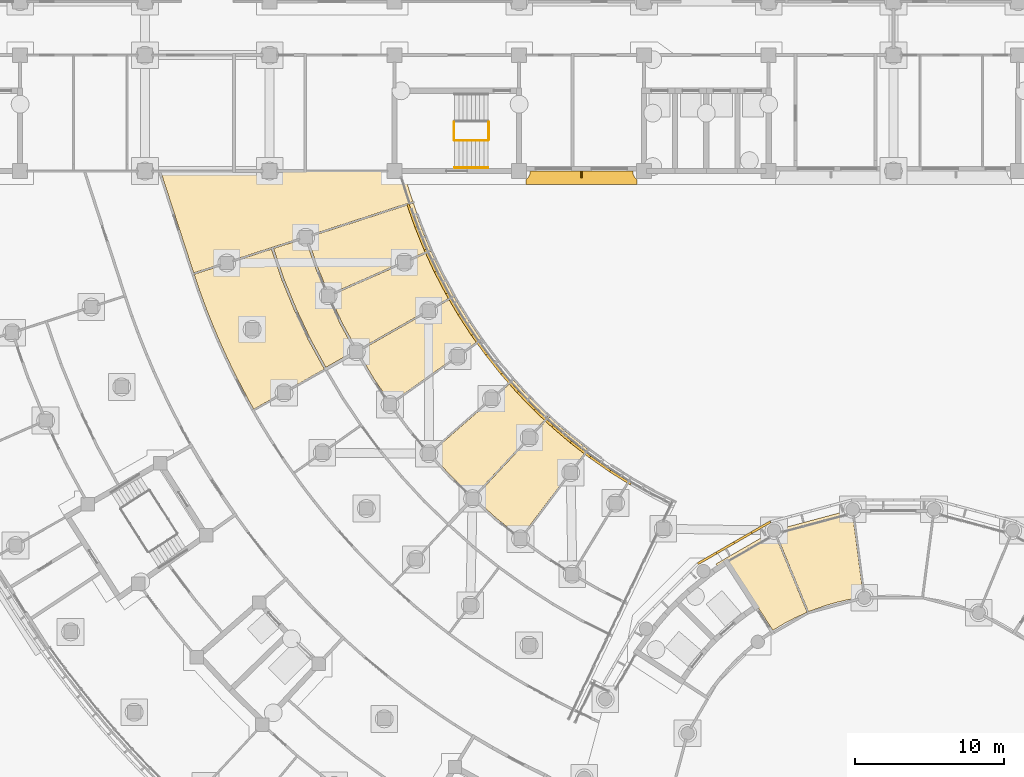
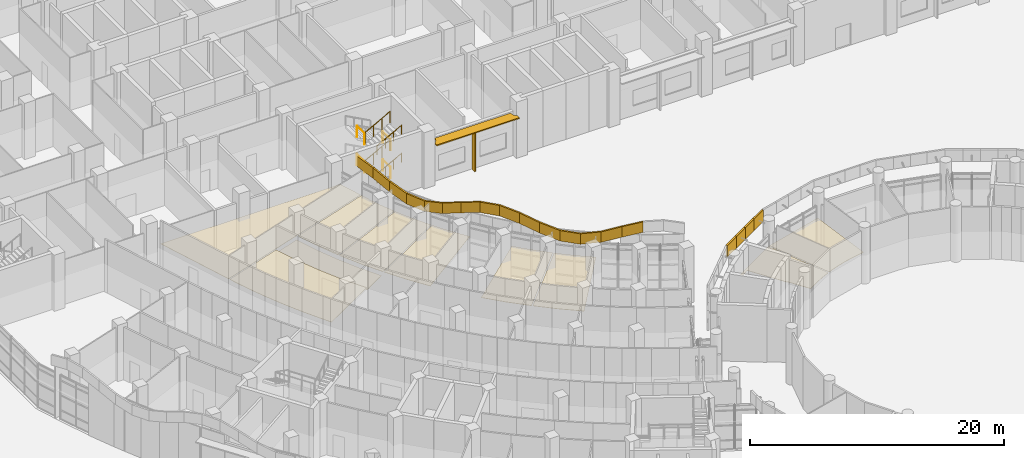
# One storey, part 127 of 146: 29 coverings, 8 railings, 2 shading devices.
"""IFC4 building model written with IfcOpenShell, lengths in metres."""

from ifc_helpers import new_model, si_unit, direction, frame, origin, origin_2d, place, context, subcontext, project, spatial, polyline, rectangle, circle, outline, extrude, material, layer, layer_set, material_profile, profile_set, type_object, element, save


model = new_model("IFC4")

# Units and contexts
model_context = context("Model", 3, precision=1e-05, world=origin(), true_north=direction((0.0, 1.0)))
body_context = subcontext(model_context, "Body", "Model", "MODEL_VIEW")
ifc_project = project(units=[si_unit("LENGTHUNIT", "METRE"), si_unit("AREAUNIT", "SQUARE_METRE"), si_unit("VOLUMEUNIT", "CUBIC_METRE"), si_unit("PLANEANGLEUNIT", "RADIAN"), si_unit("MASSUNIT", "GRAM", prefix="KILO")], contexts=[model_context])

# Site, building, storey
site_placement = place(None, origin())
site = spatial("IfcSite", under=ifc_project, at=site_placement, CompositionType="ELEMENT")
building_placement = place(site_placement, origin())
building = spatial("IfcBuilding", under=site, at=building_placement, Name="Bougainvillea Quay General Hospital", CompositionType="ELEMENT")
storey_placement = place(building_placement, origin())
storey = spatial("IfcBuildingStorey", under=building, at=storey_placement, Name="L00", CompositionType="ELEMENT", Elevation=0.0)

# Coverings
ifc_material_1 = material(Name="Powder-coated aluminium fascia, white", Category="aluminium")
ifc_layer_1 = layer(ifc_material_1, 0.14990234375)
ifc_layer_set_1 = layer_set([ifc_layer_1], Name="Powder-coated aluminium fascia, white")
covering_type_1 = type_object("IfcCoveringType", Name="Aluminium fascia band white 150x1100", PredefinedType="CLADDING", material=ifc_layer_set_1)
covering_1_placement = place(storey_placement, frame((100.95166015625, 93.91357421875, 4.85009765625), z_axis=(0.0, 0.0, 1.0), x_axis=(-0.866058810152, -0.49994213401, 0.0)))
element("IfcCovering", 1, at=covering_1_placement, inside=storey, type_object=covering_type_1, Name="Fascia band white e0 31", PredefinedType="CLADDING", context=body_context, shape_type="SweptSolid", body=[
    extrude(outline(polyline([(0.0, 0.0), (1.4430380994058942, 0.0), (1.443016331686934, -0.14995740286665526), (-0.019704824865206458, -0.14987107548026693), (0.0, 0.0)])), origin(), (0.0, 0.0, 1.0), 1.10009765625),
])
covering_2_placement = place(storey_placement, frame((99.701904296875, 93.192138671875, 4.85009765625), z_axis=(0.0, 0.0, 1.0), x_axis=(-0.865986804272, -0.500066850358, 0.0)))
element("IfcCovering", 2, at=covering_2_placement, inside=storey, type_object=covering_type_1, Name="Fascia band white e0 32", PredefinedType="CLADDING", context=body_context, shape_type="SweptSolid", body=[
    extrude(outline(polyline([(0.0, 0.0), (1.3704222423145833, -1.1102230246251565e-16), (1.370590301720145, -0.15007948481028), (-4.3363154074840815e-05, -0.14995739817689163), (0.0, 0.0)])), origin(), (0.0, 0.0, 1.0), 1.10009765625),
])
covering_3_placement = place(storey_placement, frame((98.51513671875, 92.5068359375, 4.85009765625), z_axis=(0.0, 0.0, 1.0), x_axis=(-0.866031343357, -0.499989712218, 0.0)))
element("IfcCovering", 3, at=covering_3_placement, inside=storey, type_object=covering_type_1, Name="Fascia band white e0 33", PredefinedType="CLADDING", context=body_context, shape_type="SweptSolid", body=[
    extrude(outline(polyline([(0.0, 0.0), (1.3706336703115394, 0.0), (1.370815097766146, -0.15007946924533533), (0.00018142745460673904, -0.15007946924533525), (0.0, 0.0)])), origin(), (0.0, 0.0, 1.0), 1.10009765625),
])
covering_4_placement = place(storey_placement, frame((97.328125, 91.821533203125, 4.85009765625), z_axis=(0.0, 0.0, 1.0), x_axis=(-0.866058810152, -0.49994213401, 0.0)))
element("IfcCovering", 4, at=covering_4_placement, inside=storey, type_object=covering_type_1, Name="Fascia band white e0 34", PredefinedType="CLADDING", context=body_context, shape_type="SweptSolid", body=[
    extrude(outline(polyline([(0.0, 0.0), (1.4430380994058942, 0.0), (1.4629108289723776, -0.15016578643810474), (0.00018967242023705533, -0.15007945905171638), (0.0, 0.0)])), origin(), (0.0, 0.0, 1.0), 1.10009765625),
])
ifc_material_2 = material(Name="Powder-coated aluminium fascia, red", Category="aluminium")
ifc_layer_2 = layer(ifc_material_2, 0.14990234375)
ifc_layer_set_2 = layer_set([ifc_layer_2], Name="Powder-coated aluminium fascia, red")
covering_type_2 = type_object("IfcCoveringType", Name="Aluminium wave fascia ribbon red 150x1000", PredefinedType="CLADDING", material=ifc_layer_set_2)
covering_5_placement = place(storey_placement, frame((91.549560546875, 96.58984375, 5.5654296875), z_axis=(-0.248197120298, 0.157864550461, 0.955759893061), x_axis=(-0.807474389203, 0.51133393935, -0.294147434546)))
element("IfcCovering", 5, at=covering_5_placement, inside=storey, type_object=covering_type_2, Name="Fascia ribbon red a11 3", PredefinedType="CLADDING", context=body_context, shape_type="SweptSolid", body=[
    extrude(outline(polyline([(0.0, 0.0), (1.713119230594519, 1.1698541441118593e-16), (1.7167135615293903, 0.15014633577311104), (-0.003852982476075851, 0.14997487932047765), (0.0, 0.0)])), origin(), (-0.294147434546, 0.000559970203, 0.955759893061), 1.0),
])
covering_6_placement = place(storey_placement, frame((90.166259765625, 97.4658203125, 5.060302734375), z_axis=(-0.280427239894, 0.196800826407, 0.93948389973), x_axis=(-0.768950333597, 0.539764192499, -0.342593054449)))
element("IfcCovering", 6, at=covering_6_placement, inside=storey, type_object=covering_type_2, Name="Fascia ribbon red a11 4", PredefinedType="CLADDING", context=body_context, shape_type="SweptSolid", body=[
    extrude(outline(polyline([(0.0, 0.0), (1.7427050373391957, 2.4261734114794375e-16), (1.7466305546719232, 0.1499107369016332), (-0.003955752228967724, 0.15014116875641306), (0.0, 0.0)])), origin(), (-0.342593054449, -3.4521579e-05, 0.93948389973), 1.0),
])
covering_7_placement = place(storey_placement, frame((88.826171875, 98.406494140625, 4.462158203125), z_axis=(-0.161895522197, 0.126853447645, 0.978620479406), x_axis=(-0.77315978566, 0.599935740803, -0.205672197305)))
element("IfcCovering", 7, at=covering_7_placement, inside=storey, type_object=covering_type_2, Name="Fascia ribbon red a11 5", PredefinedType="CLADDING", context=body_context, shape_type="SweptSolid", body=[
    extrude(outline(polyline([(0.0, 0.0), (1.6729317629087477, 1.0115606269289756e-16), (1.67679083531875, 0.1500335080177841), (-0.0036590876416202076, 0.14991352748853365), (0.0, 0.0)])), origin(), (-0.205672197305, 0.00095107435, 0.978620479406), 1.0),
])
covering_8_placement = place(storey_placement, frame((87.53271484375, 99.41015625, 4.117919921875), z_axis=(0.050200965025, -0.04294493689, 0.99781541154), x_axis=(-0.75824861839, 0.648609765745, 0.066063639693)))
element("IfcCovering", 8, at=covering_8_placement, inside=storey, type_object=covering_type_2, Name="Fascia ribbon red a11 6", PredefinedType="CLADDING", context=body_context, shape_type="SweptSolid", body=[
    extrude(outline(polyline([(0.0, 0.0), (1.6411289166521044, -6.648869822767356e-17), (1.6445187419617449, 0.15003672137126656), (-0.0033802733351326972, 0.15004349163134797), (0.0, 0.0)])), origin(), (0.066063639693, -2.102898e-06, 0.99781541154), 1.0),
])
covering_9_placement = place(storey_placement, frame((86.288330078125, 100.474609375, 4.226806640625), z_axis=(0.212505212185, -0.198852151814, 0.956712786845), x_axis=(-0.696523547383, 0.655862073493, 0.291032452649)))
element("IfcCovering", 9, at=covering_9_placement, inside=storey, type_object=covering_type_2, Name="Fascia ribbon red a11 7", PredefinedType="CLADDING", context=body_context, shape_type="SweptSolid", body=[
    extrude(outline(polyline([(0.0, 0.0), (1.7112138949154263, 7.45931094670027e-17), (1.715057061081503, 0.14997671806666224), (-0.0038999768172274826, 0.1500273058012553), (0.0, 0.0)])), origin(), (0.291032452649, 0.000868902906, 0.956712786845), 1.0),
])
covering_10_placement = place(storey_placement, frame((85.096435546875, 101.596923828125, 4.72607421875), z_axis=(0.239067000052, -0.246654249577, 0.939153156121), x_axis=(-0.652215829389, 0.675739312452, 0.34349802547)))
element("IfcCovering", 10, at=covering_10_placement, inside=storey, type_object=covering_type_2, Name="Fascia ribbon red a11 8", PredefinedType="CLADDING", context=body_context, shape_type="SweptSolid", body=[
    extrude(outline(polyline([(0.0, 0.0), (1.7435888456209814, -6.033585089881832e-17), (1.747435278496084, 0.1499325096107236), (-0.0037251785578650788, 0.14997969115811838), (0.0, 0.0)])), origin(), (0.34349802547, 0.000675164285, 0.939153156121), 1.0),
])
covering_11_placement = place(storey_placement, frame((83.959228515625, 102.775146484375, 5.326171875), z_axis=(0.138920550696, -0.158300825052, 0.977569398755), x_axis=(-0.644579743155, 0.734955024506, 0.210613548158)))
element("IfcCovering", 11, at=covering_11_placement, inside=storey, type_object=covering_type_2, Name="Fascia ribbon red a11 9", PredefinedType="CLADDING", context=body_context, shape_type="SweptSolid", body=[
    extrude(outline(polyline([(0.0, 0.0), (1.674829302082649, -3.165870343657673e-17), (1.6784589977768738, 0.14987753879672724), (-0.003719165156443636, 0.14993160858073828), (0.0, 0.0)])), origin(), (0.210613548158, 6.2851588e-05, 0.977569398755), 1.0),
])
covering_12_placement = place(storey_placement, frame((82.879638671875, 104.006103515625, 5.678955078125), z_axis=(-0.037185854553, 0.046713210752, 0.998215952669), x_axis=(-0.621618061568, 0.781041659407, -0.059706882371)))
element("IfcCovering", 12, at=covering_12_placement, inside=storey, type_object=covering_type_2, Name="Fascia ribbon red a11 10", PredefinedType="CLADDING", context=body_context, shape_type="SweptSolid", body=[
    extrude(outline(polyline([(0.0, 0.0), (1.6401233085570668, -1.4577437022246509e-18), (1.6437576106592393, 0.15000656279970725), (-0.003664065842384418, 0.149873860870147), (0.0, 0.0)])), origin(), (-0.059706882371, -5.926029e-06, 0.998215952669), 1.0),
])
covering_13_placement = place(storey_placement, frame((81.860107421875, 105.287109375, 5.58056640625), z_axis=(-0.168792782787, 0.233048328923, 0.957704272135), x_axis=(-0.559918490197, 0.77697438328, -0.287753526586)))
element("IfcCovering", 13, at=covering_13_placement, inside=storey, type_object=covering_type_2, Name="Fascia ribbon red a11 11", PredefinedType="CLADDING", context=body_context, shape_type="SweptSolid", body=[
    extrude(outline(polyline([(0.0, 0.0), (1.7096634217670756, -1.7780915628762273e-16), (1.7134982194146706, 0.14995010531789746), (-0.0036739380143522723, 0.1500085784546395), (0.0, 0.0)])), origin(), (-0.287753526586, -0.000659599835, 0.957704272135), 1.0),
])
covering_14_placement = place(storey_placement, frame((80.90283203125, 106.615478515625, 5.08740234375), z_axis=(-0.18842545839, 0.288267752819, 0.93882775274), x_axis=(-0.511915987602, 0.786981630789, -0.344386315695)))
element("IfcCovering", 14, at=covering_14_placement, inside=storey, type_object=covering_type_2, Name="Fascia ribbon red a11 12", PredefinedType="CLADDING", context=body_context, shape_type="SweptSolid", body=[
    extrude(outline(polyline([(0.0, 0.0), (1.7440619705973173, -6.873841773558098e-17), (1.747871373103414, 0.15003240907752408), (-0.0037263554072860076, 0.14995283287565755), (0.0, 0.0)])), origin(), (-0.344386315695, -0.000718503148, 0.93882775274), 1.0),
])
covering_15_placement = place(storey_placement, frame((80.010009765625, 107.988037109375, 4.485595703125), z_axis=(-0.108112895721, 0.186287135694, 0.976528906307), x_axis=(-0.492859294012, 0.843029579179, -0.215385340578)))
element("IfcCovering", 15, at=covering_15_placement, inside=storey, type_object=covering_type_2, Name="Fascia ribbon red a11 13", PredefinedType="CLADDING", context=body_context, shape_type="SweptSolid", body=[
    extrude(outline(polyline([(0.0, 0.0), (1.6767638897435861, -7.472863473856339e-17), (1.6803238608385571, 0.15011061289712505), (-0.0037584679366919776, 0.1500297131849803), (0.0, 0.0)])), origin(), (-0.215385340578, 0.000670977198, 0.976528906307), 1.0),
])
covering_16_placement = place(storey_placement, frame((79.18359375, 109.401611328125, 4.124267578125), z_axis=(0.024683482935, -0.047284703689, 0.998576427955), x_axis=(-0.46223319041, 0.885152732704, 0.053339642577)))
element("IfcCovering", 16, at=covering_16_placement, inside=storey, type_object=covering_type_2, Name="Fascia ribbon red a11 14", PredefinedType="CLADDING", context=body_context, shape_type="SweptSolid", body=[
    extrude(outline(polyline([(0.0, 0.0), (1.6394568501628621, -1.5584728603121323e-16), (1.643199445423106, 0.15008413936731257), (-0.0036980951044773037, 0.1501056936958724), (0.0, 0.0)])), origin(), (0.053339642577, -7.907071e-06, 0.998576427955), 1.0),
])
covering_17_placement = place(storey_placement, frame((78.42578125, 110.852783203125, 4.21240234375), z_axis=(0.119120770533, -0.258133553233, 0.958737352314), x_axis=(-0.402718397938, 0.87005476896, 0.284293142675)))
element("IfcCovering", 17, at=covering_17_placement, inside=storey, type_object=covering_type_2, Name="Fascia ribbon red a11 15", PredefinedType="CLADDING", context=body_context, shape_type="SweptSolid", body=[
    extrude(outline(polyline([(0.0, 0.0), (1.707780788980255, 9.05850915111639e-17), (1.7116814201769326, 0.14998117229812122), (-0.003569692211178424, 0.15009131036785045), (0.0, 0.0)])), origin(), (0.284293142675, -0.000313536528, 0.958737352314), 1.0),
])
covering_18_placement = place(storey_placement, frame((77.738037109375, 112.338623046875, 4.69921875), z_axis=(0.129747260182, -0.319874738847, 0.938533856567), x_axis=(-0.353190073928, 0.869541601028, 0.345187160479)))
element("IfcCovering", 18, at=covering_18_placement, inside=storey, type_object=covering_type_2, Name="Fascia ribbon red a11 16", PredefinedType="CLADDING", context=body_context, shape_type="SweptSolid", body=[
    extrude(outline(polyline([(0.0, 0.0), (1.7446325178531457, 9.492190020110591e-17), (1.7484399754819187, 0.15009014455862602), (-0.0036718925581645384, 0.14999083248957776), (0.0, 0.0)])), origin(), (0.345187160479, -0.000155942313, 0.938533856567), 1.0),
])
covering_19_placement = place(storey_placement, frame((77.121826171875, 113.855712890625, 5.302490234375), z_axis=(0.07282366119, -0.208560441844, 0.975294446036), x_axis=(-0.323405437725, 0.920113240895, 0.22090845792)))
element("IfcCovering", 19, at=covering_19_placement, inside=storey, type_object=covering_type_2, Name="Fascia ribbon red a11 17", PredefinedType="CLADDING", context=body_context, shape_type="SweptSolid", body=[
    extrude(outline(polyline([(0.0, 0.0), (1.6713443681377933, 1.0519471578540607e-16), (1.6713131310132439, 0.15010497242605025), (-0.003786668372798248, 0.15008679474720346), (0.0, 0.0)])), origin(), (0.22090845792, -0.000443566076, 0.975294446036), 1.0),
])

# Railings
ifc_material_3 = material(Name="Stainless steel 304 balustrade", Category="steel")
railing_type_1 = type_object("IfcRailingType", Name="Stair guard 1100", PredefinedType="GUARDRAIL", material=ifc_material_3)
railing_1_placement = place(storey_placement, frame((79.610107421875, 120.89990234375, 1.35009765625)))
element("IfcRailing", 20, at=railing_1_placement, inside=storey, type_object=railing_type_1, Name="L00 ST-B2 stair guard 2", PredefinedType="GUARDRAIL", context=body_context, shape_type="SweptSolid", body=[
    extrude(circle(Radius=0.02392578125, at=origin_2d()), frame((0.0, 0.0, 1.076171875), z_axis=(0.0, -1.0, 0.0), x_axis=(1.0, 0.0, 0.0)), (0.0, 0.0, 1.0), 1.199951171875),
    extrude(circle(Radius=0.02099609375, at=origin_2d()), origin(), (0.0, 0.0, 1.0), 1.052001953125),
    extrude(circle(Radius=0.02099609375, at=origin_2d()), frame((0.0, -1.199951171875, 0.0)), (0.0, 0.0, 1.0), 1.052001953125),
])
railing_2_placement = place(storey_placement, frame((79.659912109375, 119.64990234375, 1.5)))
element("IfcRailing", 21, at=railing_2_placement, inside=storey, type_object=railing_type_1, Name="L00 ST-B2 stair guard 3", PredefinedType="GUARDRAIL", context=body_context, shape_type="SweptSolid", body=[
    extrude(circle(Radius=0.02392578125, at=origin_2d()), frame((0.0, 0.0, 1.076171875), z_axis=(0.881487111273, 0.0, 0.472208081951), x_axis=(0.0, 1.0, 0.0)), (0.0, 0.0, 1.0), 2.541259765625),
    extrude(circle(Radius=0.02099609375, at=origin_2d()), origin(), (0.0, 0.0, 1.0), 1.052001953125),
    extrude(circle(Radius=0.02099609375, at=origin_2d()), frame((0.74658203125, 0.0, 0.39990234375)), (0.0, 0.0, 1.0), 1.052001953125),
    extrude(circle(Radius=0.02099609375, at=origin_2d()), frame((1.493408203125, 0.0, 0.800048828125)), (0.0, 0.0, 1.0), 1.052001953125),
    extrude(circle(Radius=0.02099609375, at=origin_2d()), frame((2.239990234375, 0.0, 1.199951171875)), (0.0, 0.0, 1.0), 1.052001953125),
])
for number, where, name in (
    (22, (81.949951171875, 120.89990234375, 2.699951171875), "L00 ST-B2 stair guard 4"),
    (23, (79.610107421875, 120.89990234375, 4.050048828125), "L00 ST-B2 stair guard 6"),
):
    element("IfcRailing", number, at=place(storey_placement, frame(where)), inside=storey, type_object=railing_type_1, Name=name, PredefinedType="GUARDRAIL", context=body_context, shape_type="SweptSolid", body=[
        extrude(circle(Radius=0.02392578125, at=origin_2d()), frame((0.0, 0.0, 1.076171875), z_axis=(0.0, -1.0, 0.0), x_axis=(1.0, 0.0, 0.0)), (0.0, 0.0, 1.0), 1.199951171875),
        extrude(circle(Radius=0.02099609375, at=origin_2d()), origin(), (0.0, 0.0, 1.0), 1.052001953125),
        extrude(circle(Radius=0.02099609375, at=origin_2d()), frame((0.0, -1.199951171875, 0.0)), (0.0, 0.0, 1.0), 1.052001953125),
    ])
railing_3_placement = place(storey_placement, frame((79.659912109375, 119.64990234375, 4.199951171875)))
element("IfcRailing", 24, at=railing_3_placement, inside=storey, type_object=railing_type_1, Name="L00 ST-B2 stair guard 7", PredefinedType="GUARDRAIL", context=body_context, shape_type="SweptSolid", body=[
    extrude(circle(Radius=0.02392578125, at=origin_2d()), frame((0.0, 0.0, 1.076171875), z_axis=(0.881487111273, 0.0, 0.472208081951), x_axis=(0.0, 1.0, 0.0)), (0.0, 0.0, 1.0), 2.541259765625),
    extrude(circle(Radius=0.02099609375, at=origin_2d()), origin(), (0.0, 0.0, 1.0), 1.052001953125),
    extrude(circle(Radius=0.02099609375, at=origin_2d()), frame((0.74658203125, 0.0, 0.39990234375)), (0.0, 0.0, 1.0), 1.052001953125),
    extrude(circle(Radius=0.02099609375, at=origin_2d()), frame((1.493408203125, 0.0, 0.800048828125)), (0.0, 0.0, 1.0), 1.052001953125),
    extrude(circle(Radius=0.02099609375, at=origin_2d()), frame((2.239990234375, 0.0, 1.199951171875)), (0.0, 0.0, 1.0), 1.052001953125),
])
railing_4_placement = place(storey_placement, frame((81.949951171875, 120.89990234375, 0.0)))
element("IfcRailing", 25, at=railing_4_placement, inside=storey, type_object=railing_type_1, Name="L00 ST-B2 stair guard 8", PredefinedType="GUARDRAIL", context=body_context, shape_type="SweptSolid", body=[
    extrude(circle(Radius=0.02392578125, at=origin_2d()), frame((0.0, 0.0, 1.076171875), z_axis=(0.0, -1.0, 0.0), x_axis=(1.0, 0.0, 0.0)), (0.0, 0.0, 1.0), 1.199951171875),
    extrude(circle(Radius=0.02099609375, at=origin_2d()), origin(), (0.0, 0.0, 1.0), 1.052001953125),
    extrude(circle(Radius=0.02099609375, at=origin_2d()), frame((0.0, -1.199951171875, 0.0)), (0.0, 0.0, 1.0), 1.052001953125),
])
ifc_material_4 = material(Name="Stainless steel 304 handrail", Category="steel")
railing_type_2 = type_object("IfcRailingType", Name="Stair handrail 900", PredefinedType="HANDRAIL", material=ifc_material_4)
for number, where, name in (
    (26, (79.659912109375, 117.824951171875, 1.5), "L00 ST-B2 stair handrail 2"),
    (27, (79.659912109375, 117.824951171875, 4.199951171875), "L00 ST-B2 stair handrail 4"),
):
    element("IfcRailing", number, at=place(storey_placement, frame(where)), inside=storey, type_object=railing_type_2, Name=name, PredefinedType="HANDRAIL", context=body_context, shape_type="SweptSolid", body=[
        extrude(circle(Radius=0.02392578125, at=origin_2d()), frame((0.0, 0.0, 0.8759765625), z_axis=(0.881487111273, 0.0, 0.472208081951), x_axis=(0.0, 1.0, 0.0)), (0.0, 0.0, 1.0), 2.541259765625),
        extrude(circle(Radius=0.02099609375, at=origin_2d()), origin(), (0.0, 0.0, 1.0), 0.851806640625),
        extrude(circle(Radius=0.02099609375, at=origin_2d()), frame((0.74658203125, 0.0, 0.39990234375)), (0.0, 0.0, 1.0), 0.851806640625),
        extrude(circle(Radius=0.02099609375, at=origin_2d()), frame((1.493408203125, 0.0, 0.800048828125)), (0.0, 0.0, 1.0), 0.851806640625),
        extrude(circle(Radius=0.02099609375, at=origin_2d()), frame((2.239990234375, 0.0, 1.199951171875)), (0.0, 0.0, 1.0), 0.851806640625),
    ])

# Shading device
ifc_material_5 = material(Name="Powder-coated aluminium canopy soffit and fascia, white", Category="aluminium")
ifc_layer_3 = layer(ifc_material_5, 0.10009765625)
ifc_layer_set_3 = layer_set([ifc_layer_3], Name="Powder-coated aluminium canopy soffit and fascia, white")
shading_device_type_1 = type_object("IfcShadingDeviceType", Name="Sunshade 100", PredefinedType="USERDEFINED", material=ifc_layer_set_3)
shading_device_1_placement = place(storey_placement, frame((0.0, 0.0, 4.050048828125)))
element("IfcShadingDevice", 28, at=shading_device_1_placement, inside=storey, type_object=shading_device_type_1, Name="Sunshade 0", ObjectType="Sunshade", PredefinedType="USERDEFINED", context=body_context, shape_type="SweptSolid", body=[
    extrude(outline(polyline([(91.64990234375, 117.60009765625), (84.75, 117.60009765625), (84.746337890625, 117.5263671875), (84.7177734375, 117.38232421875), (84.661376953125, 117.246337890625), (84.579833984375, 117.124267578125), (84.5302734375, 117.069580078125), (84.449951171875, 117.001220703125), (84.449951171875, 116.699951171875), (91.949951171875, 116.699951171875), (91.949951171875, 117.001220703125), (91.86962890625, 117.069580078125), (91.8203125, 117.124267578125), (91.738525390625, 117.246337890625), (91.682373046875, 117.38232421875), (91.653564453125, 117.5263671875), (91.64990234375, 117.60009765625)])), origin(), (0.0, 0.0, 1.0), 0.099853515625),
])

# Coverings
ifc_material_6 = material(Name="Mineral fibre ceiling tile")
ifc_layer_4 = layer(ifc_material_6, 0.030029296875)
ifc_layer_set_4 = layer_set([ifc_layer_4], Name="Mineral fibre ceiling tile")
covering_type_3 = type_object("IfcCoveringType", Name="Suspended ceiling mineral fibre tile", PredefinedType="CEILING", material=ifc_layer_set_4)
covering_20_placement = place(storey_placement, frame((0.0, 0.0, 2.699951171875)))
element("IfcCovering", 29, at=covering_20_placement, inside=storey, type_object=covering_type_3, Name="Ceiling Community Health Room 00H0414", PredefinedType="CEILING", context=body_context, shape_type="SweptSolid", body=[
    extrude(outline(polyline([(101.212646484375, 93.4140625), (103.474609375, 87.953125), (103.487548828125, 87.96044921875), (103.49609375, 87.9453125), (103.649169921875, 87.986328125), (103.904296875, 88.0869140625), (103.903564453125, 88.089111328125), (103.94970703125, 88.10498046875), (103.9951171875, 88.122802734375), (103.995849609375, 88.120849609375), (104.6279296875, 88.337890625), (104.627197265625, 88.34033203125), (104.674072265625, 88.353759765625), (104.719970703125, 88.36962890625), (104.720947265625, 88.3671875), (105.363525390625, 88.552001953125), (105.363037109375, 88.554443359375), (105.410400390625, 88.5654296875), (105.457275390625, 88.578857421875), (105.4580078125, 88.576416015625), (106.10986328125, 88.72802734375), (106.109375, 88.73095703125), (106.1572265625, 88.739013671875), (106.204345703125, 88.75), (106.205078125, 88.7470703125), (106.969482421875, 88.87646484375), (107.1669921875, 88.929443359375), (107.1669921875, 88.947021484375), (107.181640625, 88.947021484375), (106.410400390625, 94.806884765625), (101.212646484375, 93.4140625)])), origin(), (0.0, 0.0, 1.0), 0.030029296875),
])
covering_21_placement = place(storey_placement, frame((0.0, 0.0, 2.699951171875)))
element("IfcCovering", 30, at=covering_21_placement, inside=storey, type_object=covering_type_3, Name="Ceiling Community Health Room 00H0415", PredefinedType="CEILING", context=body_context, shape_type="SweptSolid", body=[
    extrude(outline(polyline([(97.25634765625, 91.14501953125), (97.400634765625, 90.939208984375), (97.91162109375, 91.29052734375), (97.910888671875, 91.291748046875), (97.992919921875, 91.346435546875), (97.99462890625, 91.34619140625), (98.049560546875, 91.26416015625), (98.04833984375, 91.263427734375), (99.927734375, 88.369140625), (99.966796875, 88.39599609375), (99.96826171875, 88.393798828125), (99.970458984375, 88.395263671875), (100.024169921875, 88.3125), (100.080078125, 88.231201171875), (100.077880859375, 88.229736328125), (101.088623046875, 86.67333984375), (101.165771484375, 86.724365234375), (101.16455078125, 86.7265625), (101.20654296875, 86.75146484375), (101.2470703125, 86.7783203125), (101.24853515625, 86.7763671875), (101.82373046875, 87.11669921875), (101.822509765625, 87.119140625), (101.86572265625, 87.1416015625), (101.907470703125, 87.16650390625), (101.908935546875, 87.164306640625), (102.5009765625, 87.475341796875), (102.499755859375, 87.47802734375), (102.5439453125, 87.498046875), (102.5869140625, 87.5205078125), (102.58837890625, 87.51806640625), (103.205322265625, 87.797607421875), (103.37255859375, 87.89404296875), (103.3681640625, 87.9111328125), (103.38232421875, 87.914794921875), (101.120361328125, 93.375732421875), (97.25634765625, 91.14501953125)])), origin(), (0.0, 0.0, 1.0), 0.030029296875),
])
covering_22_placement = place(storey_placement, frame((0.0, 0.0, 2.699951171875)))
element("IfcCovering", 31, at=covering_22_placement, inside=storey, type_object=covering_type_3, Name="Ceiling Seminar Room 00W113", PredefinedType="CEILING", context=body_context, shape_type="SweptSolid", body=[
    extrude(outline(polyline([(86.6083984375, 100.524658203125), (86.04296875, 101.037841796875), (80.96337890625, 95.578369140625), (82.491455078125, 94.204345703125), (84.09912109375, 92.922119140625), (88.610595703125, 98.88232421875), (87.4365234375, 99.81591796875), (87.435546875, 99.814453125), (87.35986328125, 99.876953125), (87.36083984375, 99.87841796875), (86.682373046875, 100.45947265625), (86.681396484375, 100.458251953125), (86.607421875, 100.5234375), (86.6083984375, 100.524658203125)])), origin(), (0.0, 0.0, 1.0), 0.030029296875),
])
covering_23_placement = place(storey_placement, frame((0.0, 0.0, 2.699951171875)))
element("IfcCovering", 32, at=covering_23_placement, inside=storey, type_object=covering_type_3, Name="Ceiling Phlebotomy Booth 00W111", PredefinedType="CEILING", context=body_context, shape_type="SweptSolid", body=[
    extrude(outline(polyline([(84.9326171875, 102.119384765625), (84.931396484375, 102.118408203125), (84.8623046875, 102.188232421875), (84.863525390625, 102.189453125), (84.21240234375, 102.870361328125), (84.211181640625, 102.869384765625), (84.144287109375, 102.941650390625), (84.145263671875, 102.942626953125), (83.6337890625, 103.510986328125), (78.014404296875, 98.582763671875), (79.40869140625, 97.072509765625), (80.89013671875, 95.646484375), (85.97021484375, 101.1064453125), (84.9326171875, 102.119384765625)])), origin(), (0.0, 0.0, 1.0), 0.030029296875),
])
covering_24_placement = place(storey_placement, frame((0.0, 0.0, 2.699951171875)))
element("IfcCovering", 33, at=covering_24_placement, inside=storey, type_object=covering_type_3, Name="Ceiling Phlebotomy Booth 00W113", PredefinedType="CEILING", context=body_context, shape_type="SweptSolid", body=[
    extrude(outline(polyline([(75.341064453125, 101.962890625), (81.43017578125, 106.29736328125), (80.670654296875, 107.41796875), (80.669189453125, 107.4169921875), (80.615478515625, 107.499267578125), (80.616943359375, 107.500244140625), (80.064453125, 108.38037109375), (80.063232421875, 108.379638671875), (80.011962890625, 108.4638671875), (80.013427734375, 108.464599609375), (79.626708984375, 109.1240234375), (73.145751953125, 105.43798828125), (74.19140625, 103.66796875), (75.341064453125, 101.962890625)])), origin(), (0.0, 0.0, 1.0), 0.030029296875),
])
covering_25_placement = place(storey_placement, frame((0.0, 0.0, 2.699951171875)))
element("IfcCovering", 34, at=covering_25_placement, inside=storey, type_object=covering_type_3, Name="Ceiling Women's Health Clinic", PredefinedType="CEILING", context=body_context, shape_type="SweptSolid", body=[
    extrude(outline(polyline([(59.85595703125, 117.60009765625), (62.0771484375, 110.76416015625), (62.133544921875, 110.782958984375), (62.135009765625, 110.778076171875), (62.139892578125, 110.779296875), (62.14404296875, 110.76318359375), (76.8486328125, 115.54052734375), (76.179931640625, 117.60009765625), (59.85595703125, 117.60009765625)])), origin(), (0.0, 0.0, 1.0), 0.030029296875),
])
covering_26_placement = place(storey_placement, frame((0.0, 0.0, 2.39990234375)))
element("IfcCovering", 35, at=covering_26_placement, inside=storey, type_object=covering_type_3, Name="Ceiling Clinic Corridor 00W2", PredefinedType="CEILING", context=body_context, shape_type="SweptSolid", body=[
    extrude(outline(polyline([(72.94189453125, 105.49462890625), (72.01123046875, 107.196044921875), (72.00732421875, 107.194091796875), (71.97607421875, 107.260009765625), (71.941162109375, 107.32373046875), (71.945068359375, 107.325927734375), (71.1044921875, 109.10546875), (71.10107421875, 109.10400390625), (71.0732421875, 109.171630859375), (71.042236328125, 109.23779296875), (71.045654296875, 109.239501953125), (70.297607421875, 111.05908203125), (70.29345703125, 111.0576171875), (70.269775390625, 111.12646484375), (70.2421875, 111.19384765625), (70.24609375, 111.195556640625), (69.599853515625, 113.076416015625), (67.460693359375, 112.3818359375), (68.168212890625, 110.322509765625), (69.015625, 108.26318359375), (69.9658203125, 106.2490234375), (70.9873046875, 104.3828125), (72.94189453125, 105.49462890625)])), origin(), (0.0, 0.0, 1.0), 0.030029296875),
])
covering_27_placement = place(storey_placement, frame((0.0, 0.0, 2.699951171875)))
element("IfcCovering", 36, at=covering_27_placement, inside=storey, type_object=covering_type_3, Name="Ceiling Women's Health Waiting Hall 00W201", PredefinedType="CEILING", context=body_context, shape_type="SweptSolid", body=[
    extrude(outline(polyline([(62.177490234375, 110.63427734375), (62.12451171875, 110.62060546875), (62.496826171875, 109.52294921875), (62.923095703125, 108.36083984375), (63.37841796875, 107.21044921875), (63.862548828125, 106.072265625), (64.375, 104.94580078125), (64.9150390625, 103.832763671875), (65.758056640625, 102.2275390625), (66.1279296875, 101.561767578125), (70.87939453125, 104.263916015625), (70.8544921875, 104.305908203125), (70.856689453125, 104.30859375), (69.8671875, 106.116943359375), (69.86328125, 106.115234375), (69.83203125, 106.180908203125), (69.797119140625, 106.244873046875), (69.801025390625, 106.246826171875), (68.90966796875, 108.136474609375), (68.90625, 108.135009765625), (68.87841796875, 108.20263671875), (68.84716796875, 108.268798828125), (68.8505859375, 108.2705078125), (68.055419921875, 110.2021484375), (68.051513671875, 110.20068359375), (68.02783203125, 110.26953125), (68.0, 110.3369140625), (68.004150390625, 110.33837890625), (67.31787109375, 112.33544921875), (62.173095703125, 110.663818359375), (62.180908203125, 110.640625), (62.176025390625, 110.638916015625), (62.177490234375, 110.63427734375)])), origin(), (0.0, 0.0, 1.0), 0.030029296875),
])
covering_28_placement = place(storey_placement, frame((0.0, 0.0, 2.699951171875)))
element("IfcCovering", 37, at=covering_28_placement, inside=storey, type_object=covering_type_3, Name="Ceiling Women's Health Consulting Room 00W211", PredefinedType="CEILING", context=body_context, shape_type="SweptSolid", body=[
    extrude(outline(polyline([(72.10986328125, 107.328125), (73.09619140625, 105.52490234375), (79.577880859375, 109.21142578125), (78.954833984375, 110.36767578125), (78.953369140625, 110.366943359375), (78.908203125, 110.454345703125), (78.90966796875, 110.455078125), (78.4296875, 111.42041015625), (78.42822265625, 111.419677734375), (78.385986328125, 111.508544921875), (78.387451171875, 111.50927734375), (78.070068359375, 112.205322265625), (71.23193359375, 109.18701171875), (72.10986328125, 107.328125)])), origin(), (0.0, 0.0, 1.0), 0.030029296875),
])
covering_29_placement = place(storey_placement, frame((0.0, 0.0, 2.699951171875)))
element("IfcCovering", 38, at=covering_29_placement, inside=storey, type_object=covering_type_3, Name="Ceiling Women's Health Examination Room 00W212", PredefinedType="CEILING", context=body_context, shape_type="SweptSolid", body=[
    extrude(outline(polyline([(76.880126953125, 115.445556640625), (69.74267578125, 113.122802734375), (70.41015625, 111.179443359375), (71.191650390625, 109.278564453125), (78.030029296875, 112.296875), (77.52734375, 113.50830078125), (77.525634765625, 113.507568359375), (77.48974609375, 113.59912109375), (77.4912109375, 113.599609375), (77.085205078125, 114.683349609375), (77.132080078125, 114.700927734375), (76.880126953125, 115.445556640625)])), origin(), (0.0, 0.0, 1.0), 0.030029296875),
])

# Shading device
ifc_material_7 = material(Name="Powder-coated aluminium fin, white", Category="aluminium")
ifc_material_profile = material_profile(ifc_material_7, rectangle(XDim=0.449951171875, YDim=0.10009765625, at=origin_2d()))
ifc_profile_set = profile_set([ifc_material_profile], Name="Powder-coated aluminium fin, white")
shading_device_type_2 = type_object("IfcShadingDeviceType", Name="Vertical fin 450x100", PredefinedType="USERDEFINED", material=ifc_profile_set)
shading_device_2_placement = place(storey_placement, frame((88.199951171875, 117.375, 0.0), z_axis=(0.0, 0.0, 1.0), x_axis=(0.0, -1.0, 0.0)))
element("IfcShadingDevice", 39, at=shading_device_2_placement, inside=storey, type_object=shading_device_type_2, Name="Vertical fin 00a 1", ObjectType="Vertical fin", PredefinedType="USERDEFINED", context=body_context, shape_type="SweptSolid", body=[
    extrude(rectangle(XDim=0.449951171875, YDim=0.10009765625, at=origin_2d()), origin(), (0.0, 0.0, 1.0), 4.050048828125),
])

save(model, "model.ifc")
